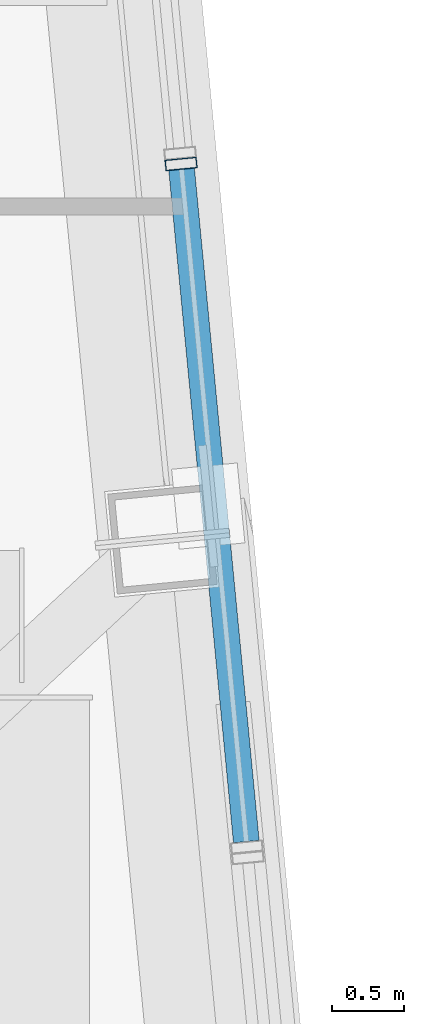
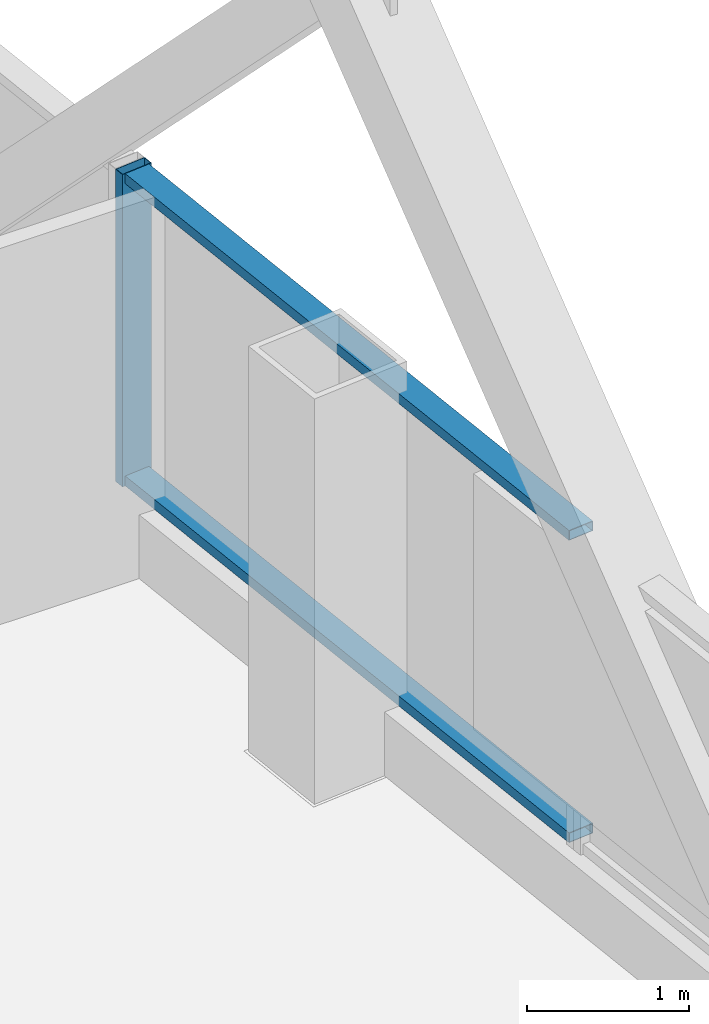
# One storey, part 19 of 37: 3 members, 1 element without a shape of its own.
"""IFC4 building model written with IfcOpenShell, lengths in metres."""

from ifc_helpers import new_model, si_unit, direction, frame, origin, origin_2d, place, context, subcontext, project, spatial, hollow_rectangle, extrude, material, layer, layer_set, material_profile, profile_set, type_object, element, aggregate, save


model = new_model("IFC4")

# Units and contexts
model_context = context("Model", 3, precision=1e-05, world=origin(), true_north=direction((0.0, 1.0)))
body_context = subcontext(model_context, "Body", "Model", "MODEL_VIEW")
ifc_project = project(units=[si_unit("LENGTHUNIT", "METRE"), si_unit("AREAUNIT", "SQUARE_METRE"), si_unit("VOLUMEUNIT", "CUBIC_METRE"), si_unit("PLANEANGLEUNIT", "RADIAN"), si_unit("MASSUNIT", "GRAM", prefix="KILO")], contexts=[model_context])

# Site, building, storey
site_placement = place(None, origin())
site = spatial("IfcSite", under=ifc_project, at=site_placement, CompositionType="ELEMENT")
building_placement = place(site_placement, origin())
building = spatial("IfcBuilding", under=site, at=building_placement, Name="Qhalaya Broadcast Tower", CompositionType="ELEMENT")
storey_placement = place(building_placement, frame((0.0, 0.0, 156.14990234375)))
storey = spatial("IfcBuildingStorey", under=building, at=storey_placement, Name="L45", CompositionType="ELEMENT", Elevation=156.14990234375)

# Curtain wall, members
ifc_material_1 = material(Name="Solar-Control Low-E Triple Glazing", Category="glass")
ifc_layer = layer(ifc_material_1, 0.219970703125, Name="Solar-Control Low-E Triple Glazing")
ifc_layer_set = layer_set([ifc_layer], Name="Solar-Control Low-E Triple Glazing")
curtain_wall_type = type_object("IfcCurtainWallType", Name="Even-Block 4-Storey Double-Module Curtain Wall CW-03", PredefinedType="NOTDEFINED", material=ifc_layer_set)
curtain_wall_placement = place(storey_placement, origin())
curtain_wall = element("IfcCurtainWall", 1, at=curtain_wall_placement, inside=storey, type_object=curtain_wall_type, Name="L45 Unitised Curtain Wall L45-CW-E4", PredefinedType="NOTDEFINED")
ifc_material_2 = material(Name="Anodised Aluminium 6063-T6", Category="aluminium")
ifc_material_profile_1 = material_profile(ifc_material_2, hollow_rectangle(XDim=0.074951171875, YDim=0.219970703125, WallThickness=0.00390625, at=origin_2d()), Name="ALU-MUL 75x220x4")
ifc_profile_set_1 = profile_set([ifc_material_profile_1], Name="Anodised Aluminium 6063-T6")
member_type_1 = type_object("IfcMemberType", Name="Unitised Curtain-Wall Mullion M01", PredefinedType="MULLION", material=ifc_profile_set_1)
member_1_placement = place(storey_placement, frame((16.6669921875, 13.09716796875, 0.47998046875), z_axis=(0.0, 0.0, 1.0), x_axis=(-0.095844898762, 0.995396280574, 0.0)))
member_1 = element("IfcMember", 2, at=member_1_placement, type_object=member_type_1, Name="CW-03 mullion 2", PredefinedType="MULLION", context=body_context, shape_type="SweptSolid", body=[
    extrude(hollow_rectangle(XDim=0.074951171875, YDim=0.219970703125, WallThickness=0.00390625, at=origin_2d()), origin(), (0.0, 0.0, 1.0), 2.35009765625),
])
ifc_material_profile_2 = material_profile(ifc_material_2, hollow_rectangle(XDim=0.074951171875, YDim=0.179931640625, WallThickness=0.00390625, at=origin_2d()), Name="ALU-TRN 75x180x4")
ifc_profile_set_2 = profile_set([ifc_material_profile_2], Name="Anodised Aluminium 6063-T6")
member_type_2 = type_object("IfcMemberType", Name="Unitised Curtain-Wall Transom T01", PredefinedType="USERDEFINED", material=ifc_profile_set_2)
member_2_placement = place(storey_placement, frame((17.1220703125, 8.37060546875, 0.517578125), z_axis=(-0.095819050608, 0.995398769107, 0.0), x_axis=(0.0, 0.0, 1.0)))
member_2 = element("IfcMember", 3, at=member_2_placement, type_object=member_type_2, Name="CW-03 transom 1.1", ObjectType="TRANSOM", PredefinedType="USERDEFINED", context=body_context, shape_type="SweptSolid", body=[
    extrude(hollow_rectangle(XDim=0.074951171875, YDim=0.179931640625, WallThickness=0.00390625, at=origin_2d()), origin(), (0.0, 0.0, 1.0), 4.711181640625),
])
member_3_placement = place(storey_placement, frame((17.1220703125, 8.37060546875, 2.79248046875), z_axis=(-0.095819050608, 0.995398769107, 0.0), x_axis=(0.0, 0.0, 1.0)))
member_3 = element("IfcMember", 4, at=member_3_placement, type_object=member_type_2, Name="CW-03 transom 1.2", ObjectType="TRANSOM", PredefinedType="USERDEFINED", context=body_context, shape_type="SweptSolid", body=[
    extrude(hollow_rectangle(XDim=0.074951171875, YDim=0.179931640625, WallThickness=0.00390625, at=origin_2d()), origin(), (0.0, 0.0, 1.0), 4.711181640625),
])
aggregate(curtain_wall, [member_1, member_2, member_3])

save(model, "model.ifc")
